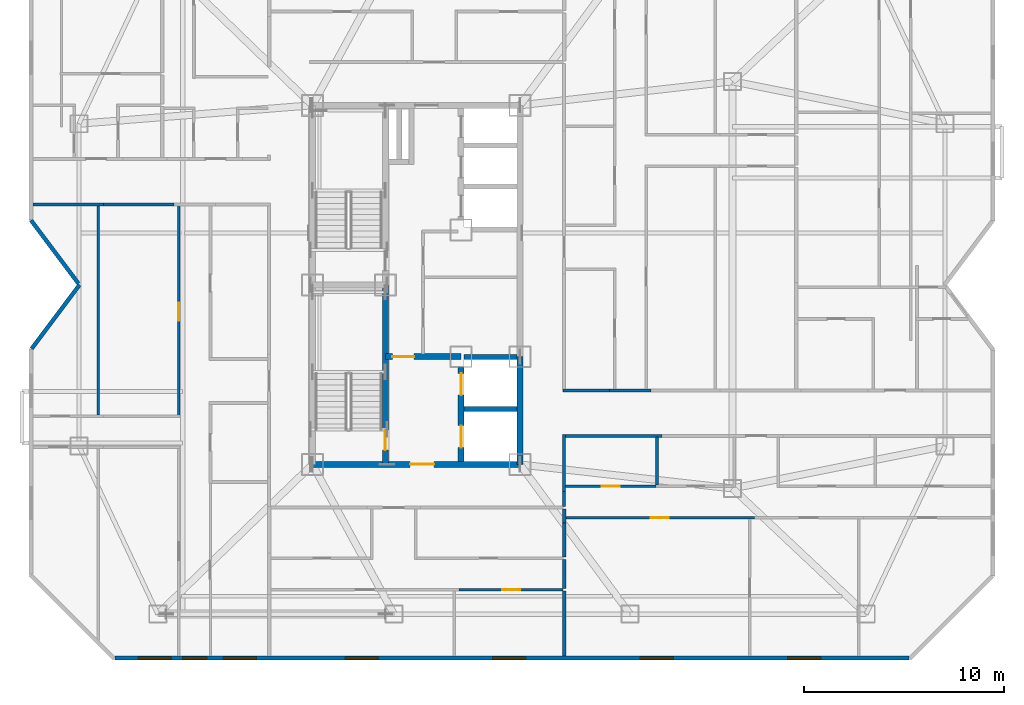
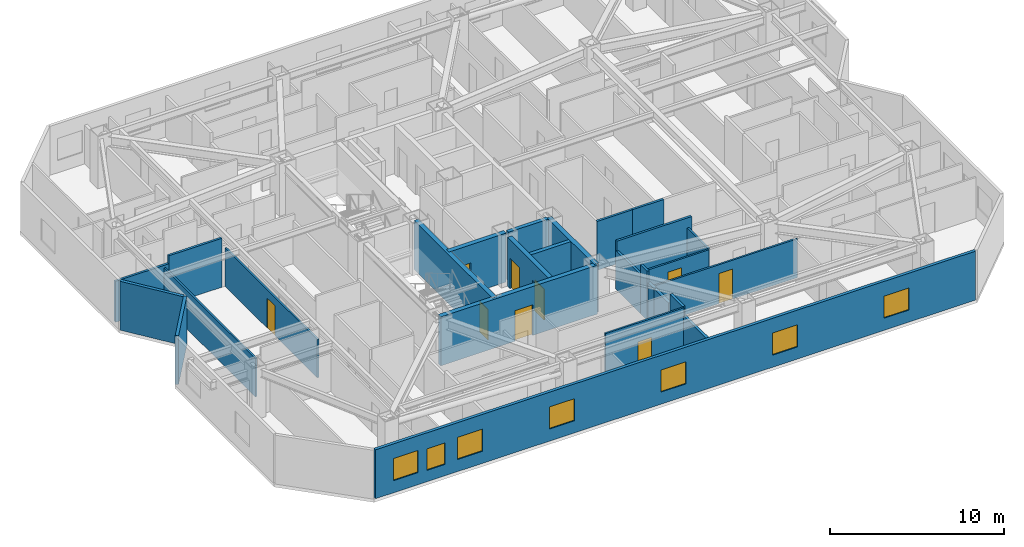
# One storey, part 6 of 12: 27 walls, 9 doors, 7 windows, 16 openings.
"""IFC4 building model written with IfcOpenShell, lengths in metres."""

from ifc_helpers import new_model, si_unit, direction, frame, frame_2d, origin, place, context, subcontext, project, spatial, rectangle, extrude, material, layer, layer_set, type_object, element, fill, save


model = new_model("IFC4")

# Units and contexts
model_context = context("Model", 3, precision=1e-05, world=origin(), true_north=direction((0.0, 1.0)))
body_context = subcontext(model_context, "Body", "Model", "MODEL_VIEW")
ifc_project = project(units=[si_unit("LENGTHUNIT", "METRE"), si_unit("AREAUNIT", "SQUARE_METRE"), si_unit("VOLUMEUNIT", "CUBIC_METRE"), si_unit("PLANEANGLEUNIT", "RADIAN"), si_unit("MASSUNIT", "GRAM", prefix="KILO")], contexts=[model_context])

# Site, building, storey
site_placement = place(None, origin())
site = spatial("IfcSite", under=ifc_project, at=site_placement, CompositionType="ELEMENT")
building_placement = place(site_placement, origin())
building = spatial("IfcBuilding", under=site, at=building_placement, Name="Khamvora Tower", CompositionType="ELEMENT")
storey_placement = place(building_placement, frame((0.0, 0.0, 177.800048828125)))
storey = spatial("IfcBuildingStorey", under=building, at=storey_placement, Name="L45", CompositionType="ELEMENT", Elevation=177.800048828125)

# Wall, opening, door
ifc_material_1 = material(Name="Concrete C50/60", Category="concrete")
ifc_layer_1 = layer(ifc_material_1, 0.300048828125)
ifc_layer_set_1 = layer_set([ifc_layer_1], Name="Concrete C50/60")
wall_type_1 = type_object("IfcWallType", Name="WAL-CORE-300", PredefinedType="SHEAR", material=ifc_layer_set_1)
wall_1_placement = place(storey_placement, frame((29.0, 19.0, 0.0), z_axis=(0.0, 0.0, 1.0), x_axis=(1.0, 0.0, 0.0)))
wall_1 = element("IfcWall", 1, at=wall_1_placement, inside=storey, type_object=wall_type_1, Name="L45 central core south wall", PredefinedType="SHEAR", context=body_context, shape_type="SweptSolid", body=[
    extrude(rectangle(XDim=10.39990234375, YDim=0.300048828125, at=frame_2d((5.199951171875, 0.0))), origin(), (0.0, 0.0, 1.0), 3.429931640625),
])
opening_1_placement = place(wall_1_placement, frame((4.89990234375, 0.0, 0.0)))
opening_1 = element("IfcOpeningElement", 2, at=opening_1_placement, cuts=wall_1, Name="Opening D-CR1", PredefinedType="OPENING", context=body_context, shape_type="SweptSolid", body=[
    extrude(rectangle(XDim=1.199951171875, YDim=2.14990234375, at=frame_2d((0.60009765625, 1.074951171875))), frame((0.0, 0.159912109375, 0.0), z_axis=(0.0, -1.0, 0.0), x_axis=(1.0, 0.0, 0.0)), (0.0, 0.0, 1.0), 0.320068359375),
])
ifc_material_2 = material(Name="Powder-Coated Steel and Hardwood Leaf", Category="steel")
door_type_1 = type_object("IfcDoorType", Name="DOR-CORR-1200", OperationType="NOTDEFINED", PredefinedType="DOOR", material=ifc_material_2)
door_1_placement = place(opening_1_placement, origin())
door_1 = element("IfcDoor", 3, at=door_1_placement, inside=storey, type_object=door_type_1, Name="L45 south core lobby to corridor fire door", OperationType="SINGLE_SWING_RIGHT", OverallHeight=2.14990234375, OverallWidth=1.199951171875, PredefinedType="DOOR", context=body_context, shape_type="SweptSolid", body=[
    extrude(rectangle(XDim=1.199951171875, YDim=2.14990234375, at=frame_2d((0.60009765625, 1.074951171875))), frame((0.0, 0.02490234375, 0.0), z_axis=(0.0, -1.0, 0.0), x_axis=(1.0, 0.0, 0.0)), (0.0, 0.0, 1.0), 0.050048828125),
])
fill(opening_1, door_1)

# Wall
wall_2_placement = place(storey_placement, frame((39.39990234375, 19.0, 0.0), z_axis=(0.0, 0.0, 1.0), x_axis=(0.0, 1.0, 0.0)))
element("IfcWall", 4, at=wall_2_placement, inside=storey, type_object=wall_type_1, Name="L45 central core east south wall", PredefinedType="SHEAR", context=body_context, shape_type="SweptSolid", body=[
    extrude(rectangle(XDim=5.39990234375, YDim=0.300048828125, at=frame_2d((2.699951171875, 0.0))), origin(), (0.0, 0.0, 1.0), 3.429931640625),
])

# Wall, opening, door
wall_3_placement = place(storey_placement, frame((32.64990234375, 19.0, 0.0), z_axis=(0.0, 0.0, 1.0), x_axis=(0.0, 1.0, 0.0)))
wall_3 = element("IfcWall", 5, at=wall_3_placement, inside=storey, type_object=wall_type_1, Name="L45 central core stair south spine wall", PredefinedType="SHEAR", context=body_context, shape_type="SweptSolid", body=[
    extrude(rectangle(XDim=9.0, YDim=0.300048828125, at=frame_2d((4.5, 0.0))), origin(), (0.0, 0.0, 1.0), 3.429931640625),
])
opening_2_placement = place(wall_3_placement, frame((0.719970703125, 0.0, 0.0)))
opening_2 = element("IfcOpeningElement", 6, at=opening_2_placement, cuts=wall_3, Name="Opening D-ST1", PredefinedType="OPENING", context=body_context, shape_type="SweptSolid", body=[
    extrude(rectangle(XDim=1.0, YDim=2.14990234375, at=frame_2d((0.5, 1.074951171875))), frame((0.0, 0.159912109375, 0.0), z_axis=(0.0, -1.0, 0.0), x_axis=(1.0, 0.0, 0.0)), (0.0, 0.0, 1.0), 0.320068359375),
])
door_type_2 = type_object("IfcDoorType", Name="DOR-STAIR-1000", OperationType="NOTDEFINED", PredefinedType="DOOR", material=ifc_material_2)
door_2_placement = place(opening_2_placement, origin())
door_2 = element("IfcDoor", 7, at=door_2_placement, inside=storey, type_object=door_type_2, Name="L45 exit stair ST-01 fire door", OperationType="SINGLE_SWING_RIGHT", OverallHeight=2.14990234375, OverallWidth=1.0, PredefinedType="DOOR", context=body_context, shape_type="SweptSolid", body=[
    extrude(rectangle(XDim=1.0, YDim=2.14990234375, at=frame_2d((0.5, 1.074951171875))), frame((0.0, 0.02490234375, 0.0), z_axis=(0.0, -1.0, 0.0), x_axis=(1.0, 0.0, 0.0)), (0.0, 0.0, 1.0), 0.050048828125),
])
fill(opening_2, door_2)

wall_4_placement = place(storey_placement, frame((32.64990234375, 24.39990234375, 0.0), z_axis=(0.0, 0.0, 1.0), x_axis=(1.0, 0.0, 0.0)))
wall_4 = element("IfcWall", 8, at=wall_4_placement, inside=storey, type_object=wall_type_1, Name="L45 central core firefighting lobby north wall", PredefinedType="SHEAR", context=body_context, shape_type="SweptSolid", body=[
    extrude(rectangle(XDim=3.800048828125, YDim=0.300048828125, at=frame_2d((1.89990234375, 0.0))), origin(), (0.0, 0.0, 1.0), 3.429931640625),
])
opening_3_placement = place(wall_4_placement, frame((0.35009765625, 0.0, 0.0)))
opening_3 = element("IfcOpeningElement", 9, at=opening_3_placement, cuts=wall_4, Name="Opening D-FF1", PredefinedType="OPENING", context=body_context, shape_type="SweptSolid", body=[
    extrude(rectangle(XDim=1.10009765625, YDim=2.14990234375, at=frame_2d((0.550048828125, 1.074951171875))), frame((0.0, 0.159912109375, 0.0), z_axis=(0.0, -1.0, 0.0), x_axis=(1.0, 0.0, 0.0)), (0.0, 0.0, 1.0), 0.320068359375),
])
door_type_3 = type_object("IfcDoorType", Name="DOR-FFLOB-1100", OperationType="NOTDEFINED", PredefinedType="DOOR", material=ifc_material_2)
door_3_placement = place(opening_3_placement, origin())
door_3 = element("IfcDoor", 10, at=door_3_placement, inside=storey, type_object=door_type_3, Name="L45 firefighting lobby smoke-seal fire door", OperationType="SINGLE_SWING_LEFT", OverallHeight=2.14990234375, OverallWidth=1.10009765625, PredefinedType="DOOR", context=body_context, shape_type="SweptSolid", body=[
    extrude(rectangle(XDim=1.10009765625, YDim=2.14990234375, at=frame_2d((0.550048828125, 1.074951171875))), frame((0.0, 0.02490234375, 0.0), z_axis=(0.0, -1.0, 0.0), x_axis=(1.0, 0.0, 0.0)), (0.0, 0.0, 1.0), 0.050048828125),
])
fill(opening_3, door_3)

# Wall, openings, doors
wall_5_placement = place(storey_placement, frame((36.449951171875, 19.154052734375, 0.0), z_axis=(0.0, 0.0, 1.0), x_axis=(0.0, 1.0, 0.0)))
wall_5 = element("IfcWall", 11, at=wall_5_placement, inside=storey, type_object=wall_type_1, Name="L45 central core lift bank south wall", PredefinedType="SHEAR", context=body_context, shape_type="SweptSolid", body=[
    extrude(rectangle(XDim=4.696044921875, YDim=0.300048828125, at=frame_2d((2.34814453125, 0.0))), origin(), (0.0, 0.0, 1.0), 3.429931640625),
])
opening_4_placement = place(wall_5_placement, frame((0.696044921875, 0.0, 0.0)))
opening_4 = element("IfcOpeningElement", 12, at=opening_4_placement, cuts=wall_5, Name="Opening LD-FFL", PredefinedType="OPENING", context=body_context, shape_type="SweptSolid", body=[
    extrude(rectangle(XDim=1.10009765625, YDim=2.14990234375, at=frame_2d((0.550048828125, 1.074951171875))), frame((0.0, 0.159912109375, 0.0), z_axis=(0.0, -1.0, 0.0), x_axis=(1.0, 0.0, 0.0)), (0.0, 0.0, 1.0), 0.320068359375),
])
opening_5_placement = place(wall_5_placement, frame((3.31591796875, 0.0, 0.0)))
opening_5 = element("IfcOpeningElement", 13, at=opening_5_placement, cuts=wall_5, Name="Opening LD-FFL", PredefinedType="OPENING", context=body_context, shape_type="SweptSolid", body=[
    extrude(rectangle(XDim=1.10009765625, YDim=2.14990234375, at=frame_2d((0.550048828125, 1.074951171875))), frame((0.0, 0.159912109375, 0.0), z_axis=(0.0, -1.0, 0.0), x_axis=(1.0, 0.0, 0.0)), (0.0, 0.0, 1.0), 0.320068359375),
])
door_type_4 = type_object("IfcDoorType", Name="DOR-LIFT-1100", OperationType="SLIDING_TO_LEFT", PredefinedType="DOOR", material=ifc_material_2)
door_4_placement = place(opening_4_placement, origin())
door_4 = element("IfcDoor", 14, at=door_4_placement, inside=storey, type_object=door_type_4, Name="L45 lift landing sliding door FFL-01", OperationType="SLIDING_TO_LEFT", OverallHeight=2.14990234375, OverallWidth=1.10009765625, PredefinedType="DOOR", context=body_context, shape_type="SweptSolid", body=[
    extrude(rectangle(XDim=1.10009765625, YDim=2.14990234375, at=frame_2d((0.550048828125, 1.074951171875))), frame((0.0, 0.02490234375, 0.0), z_axis=(0.0, -1.0, 0.0), x_axis=(1.0, 0.0, 0.0)), (0.0, 0.0, 1.0), 0.050048828125),
])
fill(opening_4, door_4)
door_5_placement = place(opening_5_placement, origin())
door_5 = element("IfcDoor", 15, at=door_5_placement, inside=storey, type_object=door_type_4, Name="L45 lift landing sliding door FFL-02", OperationType="SLIDING_TO_LEFT", OverallHeight=2.14990234375, OverallWidth=1.10009765625, PredefinedType="DOOR", context=body_context, shape_type="SweptSolid", body=[
    extrude(rectangle(XDim=1.10009765625, YDim=2.14990234375, at=frame_2d((0.550048828125, 1.074951171875))), frame((0.0, 0.02490234375, 0.0), z_axis=(0.0, -1.0, 0.0), x_axis=(1.0, 0.0, 0.0)), (0.0, 0.0, 1.0), 0.050048828125),
])
fill(opening_5, door_5)

# Walls
ifc_material_3 = material(Name="Fire-Rated Drywall and Steel Stud", Category="steel")
ifc_layer_2 = layer(ifc_material_3, 0.14990234375)
ifc_layer_set_2 = layer_set([ifc_layer_2], Name="Fire-Rated Drywall and Steel Stud")
wall_type_2 = type_object("IfcWallType", Name="WAL-CORR-150", PredefinedType="STANDARD", material=ifc_layer_set_2)
wall_6_placement = place(storey_placement, frame((18.52294921875, 32.034912109375, 0.0), z_axis=(0.0, 0.0, 1.0), x_axis=(-1.0, 0.0, 0.0)))
element("IfcWall", 16, at=wall_6_placement, inside=storey, type_object=wall_type_2, Name="L45 interior partition wall 011", PredefinedType="STANDARD", context=body_context, shape_type="SweptSolid", body=[
    extrude(rectangle(XDim=3.531005859375, YDim=0.14990234375, at=frame_2d((1.765625, 0.0))), origin(), (0.0, 0.0, 1.0), 2.8759765625),
])
wall_7_placement = place(storey_placement, frame((22.06103515625, 32.034912109375, 0.0), z_axis=(0.0, 0.0, 1.0), x_axis=(-1.0, 0.0, 0.0)))
element("IfcWall", 17, at=wall_7_placement, inside=storey, type_object=wall_type_2, Name="L45 interior partition wall 012", PredefinedType="STANDARD", context=body_context, shape_type="SweptSolid", body=[
    extrude(rectangle(XDim=3.5380859375, YDim=0.14990234375, at=frame_2d((1.76904296875, 0.0))), origin(), (0.0, 0.0, 1.0), 3.429931640625),
])
wall_8_placement = place(storey_placement, frame((46.51904296875, 20.43505859375, 0.0), z_axis=(0.0, 0.0, 1.0), x_axis=(-1.0, 0.0, 0.0)))
element("IfcWall", 18, at=wall_8_placement, inside=storey, type_object=wall_type_2, Name="L45 interior partition wall 025", PredefinedType="STANDARD", context=body_context, shape_type="SweptSolid", body=[
    extrude(rectangle(XDim=4.968994140625, YDim=0.14990234375, at=frame_2d((2.484375, 0.0))), origin(), (0.0, 0.0, 1.0), 3.429931640625),
])
wall_9_placement = place(storey_placement, frame((41.614990234375, 20.5, 0.0), z_axis=(0.0, 0.0, 1.0), x_axis=(0.0, -1.0, 0.0)))
element("IfcWall", 19, at=wall_9_placement, inside=storey, type_object=wall_type_2, Name="L45 interior partition wall 026", PredefinedType="STANDARD", context=body_context, shape_type="SweptSolid", body=[
    extrude(rectangle(XDim=2.843994140625, YDim=0.14990234375, at=frame_2d((1.421875, 0.0))), origin(), (0.0, 0.0, 1.0), 2.724853515625),
])
wall_10_placement = place(storey_placement, frame((41.614990234375, 17.656005859375, 0.0), z_axis=(0.0, 0.0, 1.0), x_axis=(0.0, -1.0, 0.0)))
element("IfcWall", 20, at=wall_10_placement, inside=storey, type_object=wall_type_2, Name="L45 interior partition wall 029", PredefinedType="STANDARD", context=body_context, shape_type="SweptSolid", body=[
    extrude(rectangle(XDim=0.756103515625, YDim=0.14990234375, at=frame_2d((0.3779296875, 0.0))), origin(), (0.0, 0.0, 1.0), 3.429931640625),
])
wall_11_placement = place(storey_placement, frame((43.89599609375, 22.715087890625, 0.0), z_axis=(0.0, 0.0, 1.0), x_axis=(1.0, 0.0, 0.0)))
element("IfcWall", 21, at=wall_11_placement, inside=storey, type_object=wall_type_2, Name="L45 interior partition wall 034", PredefinedType="STANDARD", context=body_context, shape_type="SweptSolid", body=[
    extrude(rectangle(XDim=2.078125, YDim=0.14990234375, at=frame_2d((1.0390625, 0.0))), origin(), (0.0, 0.0, 1.0), 3.429931640625),
])
wall_12_placement = place(storey_placement, frame((41.550048828125, 22.715087890625, 0.0), z_axis=(0.0, 0.0, 1.0), x_axis=(1.0, 0.0, 0.0)))
element("IfcWall", 22, at=wall_12_placement, inside=storey, type_object=wall_type_2, Name="L45 interior partition wall 037", PredefinedType="STANDARD", context=body_context, shape_type="SweptSolid", body=[
    extrude(rectangle(XDim=2.345947265625, YDim=0.14990234375, at=frame_2d((1.1728515625, 0.0))), origin(), (0.0, 0.0, 1.0), 3.429931640625),
])
ifc_material_4 = material(Name="Acoustic Double-Stud Fire Wall", Category="gypsum")
ifc_layer_3 = layer(ifc_material_4, 0.179931640625)
ifc_layer_set_3 = layer_set([ifc_layer_3], Name="Acoustic Double-Stud Fire Wall")
wall_type_3 = type_object("IfcWallType", Name="WAL-CORR-180", PredefinedType="STANDARD", material=ifc_layer_set_3)
wall_13_placement = place(storey_placement, frame((41.614990234375, 14.239990234375, 0.0), z_axis=(0.0, 0.0, 1.0), x_axis=(0.0, -1.0, 0.0)))
element("IfcWall", 23, at=wall_13_placement, inside=storey, type_object=wall_type_3, Name="L45 interior partition wall 085", PredefinedType="STANDARD", context=body_context, shape_type="SweptSolid", body=[
    extrude(rectangle(XDim=1.449951171875, YDim=0.179931640625, at=frame_2d((0.72509765625, 0.0))), origin(), (0.0, 0.0, 1.0), 3.429931640625),
])
wall_14_placement = place(storey_placement, frame((41.614990234375, 16.77001953125, 0.0), z_axis=(0.0, 0.0, 1.0), x_axis=(0.0, -1.0, 0.0)))
element("IfcWall", 24, at=wall_14_placement, inside=storey, type_object=wall_type_3, Name="L45 interior partition wall 086", PredefinedType="STANDARD", context=body_context, shape_type="SweptSolid", body=[
    extrude(rectangle(XDim=0.694091796875, YDim=0.179931640625, at=frame_2d((0.34716796875, 0.0))), origin(), (0.0, 0.0, 1.0), 2.724853515625),
])
wall_15_placement = place(storey_placement, frame((41.614990234375, 16.075927734375, 0.0), z_axis=(0.0, 0.0, 1.0), x_axis=(0.0, -1.0, 0.0)))
element("IfcWall", 25, at=wall_15_placement, inside=storey, type_object=wall_type_3, Name="L45 interior partition wall 087", PredefinedType="STANDARD", context=body_context, shape_type="SweptSolid", body=[
    extrude(rectangle(XDim=1.705810546875, YDim=0.179931640625, at=frame_2d((0.85302734375, 0.0))), origin(), (0.0, 0.0, 1.0), 2.724853515625),
])
wall_16_placement = place(storey_placement, frame((41.614990234375, 12.659912109375, 0.0), z_axis=(0.0, 0.0, 1.0), x_axis=(0.0, -1.0, 0.0)))
element("IfcWall", 26, at=wall_16_placement, inside=storey, type_object=wall_type_3, Name="L45 interior partition wall 089", PredefinedType="STANDARD", context=body_context, shape_type="SweptSolid", body=[
    extrude(rectangle(XDim=3.267822265625, YDim=0.179931640625, at=frame_2d((1.6337890625, 0.0))), origin(), (0.0, 0.0, 1.0), 2.8759765625),
])
ifc_material_5 = material(Name="Precast concrete C40/50", Category="concrete")
ifc_layer_4 = layer(ifc_material_5, 0.199951171875)
ifc_layer_set_4 = layer_set([ifc_layer_4], Name="Precast concrete C40/50")
wall_type_4 = type_object("IfcWallType", Name="WAL-EXT-200", PredefinedType="STANDARD", material=ifc_layer_set_4)
wall_17_placement = place(storey_placement, frame((14.929931640625, 24.806884765625, 0.0), z_axis=(0.0, 0.0, 1.0), x_axis=(0.600029358831, 0.799977980035, 0.0)))
element("IfcWall", 27, at=wall_17_placement, inside=storey, type_object=wall_type_4, Name="L45 exterior facade wall 03.1", PredefinedType="STANDARD", context=body_context, shape_type="SweptSolid", body=[
    extrude(rectangle(XDim=3.991455078125, YDim=0.199951171875, at=frame_2d((1.99560546875, 0.0))), origin(), (0.0, 0.0, 1.0), 3.429931640625),
])
wall_18_placement = place(storey_placement, frame((17.27294921875, 28.069091796875, 0.0), z_axis=(0.0, 0.0, 1.0), x_axis=(-0.600029630681, 0.799977776132, 0.0)))
element("IfcWall", 28, at=wall_18_placement, inside=storey, type_object=wall_type_4, Name="L45 exterior facade wall 04.1", PredefinedType="STANDARD", context=body_context, shape_type="SweptSolid", body=[
    extrude(rectangle(XDim=3.954833984375, YDim=0.199951171875, at=frame_2d((1.9775390625, 0.0))), origin(), (0.0, 0.0, 1.0), 3.429931640625),
])

# Wall, openings, windows
wall_19_placement = place(storey_placement, frame((58.89599609375, 9.300048828125, 0.0), z_axis=(0.0, 0.0, 1.0), x_axis=(-1.0, 0.0, 0.0)))
wall_19 = element("IfcWall", 29, at=wall_19_placement, inside=storey, type_object=wall_type_4, Name="L45 exterior facade wall 14.1", PredefinedType="STANDARD", context=body_context, shape_type="SweptSolid", body=[
    extrude(rectangle(XDim=39.79296875, YDim=0.199951171875, at=frame_2d((19.896484375, 0.0))), origin(), (0.0, 0.0, 1.0), 3.429931640625),
])
opening_6_placement = place(wall_19_placement, frame((32.7080078125, 0.0, 0.85009765625)))
opening_6 = element("IfcOpeningElement", 30, at=opening_6_placement, cuts=wall_19, Name="Opening WN-06", PredefinedType="OPENING", context=body_context, shape_type="SweptSolid", body=[
    extrude(rectangle(XDim=1.64990234375, YDim=1.550048828125, at=frame_2d((0.824951171875, 0.77490234375))), frame((0.0, 0.10986328125, 0.0), z_axis=(0.0, -1.0, 0.0), x_axis=(1.0, 0.0, 0.0)), (0.0, 0.0, 1.0), 0.219970703125),
])
opening_7_placement = place(wall_19_placement, frame((35.196044921875, 0.0, 0.800048828125)))
opening_7 = element("IfcOpeningElement", 31, at=opening_7_placement, cuts=wall_19, Name="Opening WN-03", PredefinedType="OPENING", context=body_context, shape_type="SweptSolid", body=[
    extrude(rectangle(XDim=1.199951171875, YDim=1.5, at=frame_2d((0.60009765625, 0.75))), frame((0.0, 0.10986328125, 0.0), z_axis=(0.0, -1.0, 0.0), x_axis=(1.0, 0.0, 0.0)), (0.0, 0.0, 1.0), 0.219970703125),
])
opening_8_placement = place(wall_19_placement, frame((36.971923828125, 0.0, 0.85009765625)))
opening_8 = element("IfcOpeningElement", 32, at=opening_8_placement, cuts=wall_19, Name="Opening WN-06", PredefinedType="OPENING", context=body_context, shape_type="SweptSolid", body=[
    extrude(rectangle(XDim=1.64990234375, YDim=1.550048828125, at=frame_2d((0.824951171875, 0.77490234375))), frame((0.0, 0.10986328125, 0.0), z_axis=(0.0, -1.0, 0.0), x_axis=(1.0, 0.0, 0.0)), (0.0, 0.0, 1.0), 0.219970703125),
])
opening_9_placement = place(wall_19_placement, frame((26.60205078125, 0.0, 0.85009765625)))
opening_9 = element("IfcOpeningElement", 33, at=opening_9_placement, cuts=wall_19, Name="Opening WN-06", PredefinedType="OPENING", context=body_context, shape_type="SweptSolid", body=[
    extrude(rectangle(XDim=1.64990234375, YDim=1.550048828125, at=frame_2d((0.824951171875, 0.77490234375))), frame((0.0, 0.10986328125, 0.0), z_axis=(0.0, -1.0, 0.0), x_axis=(1.0, 0.0, 0.0)), (0.0, 0.0, 1.0), 0.219970703125),
])
opening_10_placement = place(wall_19_placement, frame((19.2119140625, 0.0, 0.85009765625)))
opening_10 = element("IfcOpeningElement", 34, at=opening_10_placement, cuts=wall_19, Name="Opening WN-06", PredefinedType="OPENING", context=body_context, shape_type="SweptSolid", body=[
    extrude(rectangle(XDim=1.64990234375, YDim=1.550048828125, at=frame_2d((0.824951171875, 0.77490234375))), frame((0.0, 0.10986328125, 0.0), z_axis=(0.0, -1.0, 0.0), x_axis=(1.0, 0.0, 0.0)), (0.0, 0.0, 1.0), 0.219970703125),
])
opening_11_placement = place(wall_19_placement, frame((11.80810546875, 0.0, 0.85009765625)))
opening_11 = element("IfcOpeningElement", 35, at=opening_11_placement, cuts=wall_19, Name="Opening WN-06", PredefinedType="OPENING", context=body_context, shape_type="SweptSolid", body=[
    extrude(rectangle(XDim=1.64990234375, YDim=1.550048828125, at=frame_2d((0.824951171875, 0.77490234375))), frame((0.0, 0.10986328125, 0.0), z_axis=(0.0, -1.0, 0.0), x_axis=(1.0, 0.0, 0.0)), (0.0, 0.0, 1.0), 0.219970703125),
])
opening_12_placement = place(wall_19_placement, frame((4.429931640625, 0.0, 0.85009765625)))
opening_12 = element("IfcOpeningElement", 36, at=opening_12_placement, cuts=wall_19, Name="Opening WN-06", PredefinedType="OPENING", context=body_context, shape_type="SweptSolid", body=[
    extrude(rectangle(XDim=1.64990234375, YDim=1.550048828125, at=frame_2d((0.824951171875, 0.77490234375))), frame((0.0, 0.10986328125, 0.0), z_axis=(0.0, -1.0, 0.0), x_axis=(1.0, 0.0, 0.0)), (0.0, 0.0, 1.0), 0.219970703125),
])
ifc_material_6 = material(Name="Low-E Laminated Double Glazing", Category="glass")
window_type_1 = type_object("IfcWindowType", Name="WIN-VIS-1200x1500", PartitioningType="SINGLE_PANEL", PredefinedType="WINDOW", material=ifc_material_6)
window_1_placement = place(opening_7_placement, origin())
window_1 = element("IfcWindow", 37, at=window_1_placement, inside=storey, type_object=window_type_1, Name="L45 vision window 14.1.02", OverallHeight=1.5, OverallWidth=1.199951171875, PartitioningType="SINGLE_PANEL", PredefinedType="WINDOW", context=body_context, shape_type="SweptSolid", body=[
    extrude(rectangle(XDim=1.199951171875, YDim=1.5, at=frame_2d((0.60009765625, 0.75))), frame((0.0, 0.030029296875, 0.0), z_axis=(0.0, -1.0, 0.0), x_axis=(1.0, 0.0, 0.0)), (0.0, 0.0, 1.0), 0.06005859375),
])
fill(opening_7, window_1)
window_type_2 = type_object("IfcWindowType", Name="WIN-VIS-1650x1550", PartitioningType="SINGLE_PANEL", PredefinedType="WINDOW", material=ifc_material_6)
window_2_placement = place(opening_6_placement, origin())
window_2 = element("IfcWindow", 38, at=window_2_placement, inside=storey, type_object=window_type_2, Name="L45 vision window 14.1.01", OverallHeight=1.550048828125, OverallWidth=1.64990234375, PartitioningType="SINGLE_PANEL", PredefinedType="WINDOW", context=body_context, shape_type="SweptSolid", body=[
    extrude(rectangle(XDim=1.64990234375, YDim=1.550048828125, at=frame_2d((0.824951171875, 0.77490234375))), frame((0.0, 0.030029296875, 0.0), z_axis=(0.0, -1.0, 0.0), x_axis=(1.0, 0.0, 0.0)), (0.0, 0.0, 1.0), 0.06005859375),
])
fill(opening_6, window_2)
window_3_placement = place(opening_8_placement, origin())
window_3 = element("IfcWindow", 39, at=window_3_placement, inside=storey, type_object=window_type_2, Name="L45 vision window 14.1.03", OverallHeight=1.550048828125, OverallWidth=1.64990234375, PartitioningType="SINGLE_PANEL", PredefinedType="WINDOW", context=body_context, shape_type="SweptSolid", body=[
    extrude(rectangle(XDim=1.64990234375, YDim=1.550048828125, at=frame_2d((0.824951171875, 0.77490234375))), frame((0.0, 0.030029296875, 0.0), z_axis=(0.0, -1.0, 0.0), x_axis=(1.0, 0.0, 0.0)), (0.0, 0.0, 1.0), 0.06005859375),
])
fill(opening_8, window_3)
window_4_placement = place(opening_9_placement, origin())
window_4 = element("IfcWindow", 40, at=window_4_placement, inside=storey, type_object=window_type_2, Name="L45 vision window 14.1.04", OverallHeight=1.550048828125, OverallWidth=1.64990234375, PartitioningType="SINGLE_PANEL", PredefinedType="WINDOW", context=body_context, shape_type="SweptSolid", body=[
    extrude(rectangle(XDim=1.64990234375, YDim=1.550048828125, at=frame_2d((0.824951171875, 0.77490234375))), frame((0.0, 0.030029296875, 0.0), z_axis=(0.0, -1.0, 0.0), x_axis=(1.0, 0.0, 0.0)), (0.0, 0.0, 1.0), 0.06005859375),
])
fill(opening_9, window_4)
window_5_placement = place(opening_10_placement, origin())
window_5 = element("IfcWindow", 41, at=window_5_placement, inside=storey, type_object=window_type_2, Name="L45 vision window 14.1.05", OverallHeight=1.550048828125, OverallWidth=1.64990234375, PartitioningType="SINGLE_PANEL", PredefinedType="WINDOW", context=body_context, shape_type="SweptSolid", body=[
    extrude(rectangle(XDim=1.64990234375, YDim=1.550048828125, at=frame_2d((0.824951171875, 0.77490234375))), frame((0.0, 0.030029296875, 0.0), z_axis=(0.0, -1.0, 0.0), x_axis=(1.0, 0.0, 0.0)), (0.0, 0.0, 1.0), 0.06005859375),
])
fill(opening_10, window_5)
window_6_placement = place(opening_11_placement, origin())
window_6 = element("IfcWindow", 42, at=window_6_placement, inside=storey, type_object=window_type_2, Name="L45 vision window 14.1.06", OverallHeight=1.550048828125, OverallWidth=1.64990234375, PartitioningType="SINGLE_PANEL", PredefinedType="WINDOW", context=body_context, shape_type="SweptSolid", body=[
    extrude(rectangle(XDim=1.64990234375, YDim=1.550048828125, at=frame_2d((0.824951171875, 0.77490234375))), frame((0.0, 0.030029296875, 0.0), z_axis=(0.0, -1.0, 0.0), x_axis=(1.0, 0.0, 0.0)), (0.0, 0.0, 1.0), 0.06005859375),
])
fill(opening_11, window_6)
window_7_placement = place(opening_12_placement, origin())
window_7 = element("IfcWindow", 43, at=window_7_placement, inside=storey, type_object=window_type_2, Name="L45 vision window 14.1.07", OverallHeight=1.550048828125, OverallWidth=1.64990234375, PartitioningType="SINGLE_PANEL", PredefinedType="WINDOW", context=body_context, shape_type="SweptSolid", body=[
    extrude(rectangle(XDim=1.64990234375, YDim=1.550048828125, at=frame_2d((0.824951171875, 0.77490234375))), frame((0.0, 0.030029296875, 0.0), z_axis=(0.0, -1.0, 0.0), x_axis=(1.0, 0.0, 0.0)), (0.0, 0.0, 1.0), 0.06005859375),
])
fill(opening_12, window_7)

# Wall, opening, door
ifc_material_7 = material(Name="Gypsum Plasterboard Partition", Category="gypsum")
ifc_layer_5 = layer(ifc_material_7, 0.1201171875)
ifc_layer_set_5 = layer_set([ifc_layer_5], Name="Gypsum Plasterboard Partition")
wall_type_5 = type_object("IfcWallType", Name="WAL-PART-120", PredefinedType="PARTITIONING", material=ifc_layer_set_5)
wall_20_placement = place(storey_placement, frame((22.31005859375, 21.360107421875, 0.0), z_axis=(0.0, 0.0, 1.0), x_axis=(0.0, 1.0, 0.0)))
wall_20 = element("IfcWall", 44, at=wall_20_placement, inside=storey, type_object=wall_type_5, Name="L45 interior partition wall 057", PredefinedType="PARTITIONING", context=body_context, shape_type="SweptSolid", body=[
    extrude(rectangle(XDim=10.60791015625, YDim=0.1201171875, at=frame_2d((5.303955078125, 0.0))), origin(), (0.0, 0.0, 1.0), 2.68701171875),
])
opening_13_placement = place(wall_20_placement, frame((4.85400390625, 0.0, 0.0)))
opening_13 = element("IfcOpeningElement", 45, at=opening_13_placement, cuts=wall_20, Name="Opening D-RM1", PredefinedType="OPENING", context=body_context, shape_type="SweptSolid", body=[
    extrude(rectangle(XDim=0.89990234375, YDim=2.10009765625, at=frame_2d((0.449951171875, 1.050048828125))), frame((0.0, 0.070068359375, 0.0), z_axis=(0.0, -1.0, 0.0), x_axis=(1.0, 0.0, 0.0)), (0.0, 0.0, 1.0), 0.14013671875),
])
door_type_5 = type_object("IfcDoorType", Name="DOR-ROOM-900", OperationType="NOTDEFINED", PredefinedType="DOOR", material=ifc_material_2)
door_6_placement = place(opening_13_placement, origin())
door_6 = element("IfcDoor", 46, at=door_6_placement, inside=storey, type_object=door_type_5, Name="L45 interior door 45WAH-45WAR4", OperationType="SINGLE_SWING_LEFT", OverallHeight=2.10009765625, OverallWidth=0.89990234375, PredefinedType="DOOR", context=body_context, shape_type="SweptSolid", body=[
    extrude(rectangle(XDim=0.89990234375, YDim=2.10009765625, at=frame_2d((0.449951171875, 1.050048828125))), frame((0.0, 0.02490234375, 0.0), z_axis=(0.0, -1.0, 0.0), x_axis=(1.0, 0.0, 0.0)), (0.0, 0.0, 1.0), 0.050048828125),
])
fill(opening_13, door_6)

# Wall
wall_21_placement = place(storey_placement, frame((18.27392578125, 31.968017578125, 0.0), z_axis=(0.0, 0.0, 1.0), x_axis=(0.0, -1.0, 0.0)))
element("IfcWall", 47, at=wall_21_placement, inside=storey, type_object=wall_type_5, Name="L45 interior partition wall 059", PredefinedType="PARTITIONING", context=body_context, shape_type="SweptSolid", body=[
    extrude(rectangle(XDim=10.489013671875, YDim=0.1201171875, at=frame_2d((5.24462890625, 0.0))), origin(), (0.0, 0.0, 1.0), 2.68701171875),
])

# Wall, opening, door
wall_22_placement = place(storey_placement, frame((41.550048828125, 12.72509765625, 0.0), z_axis=(0.0, 0.0, 1.0), x_axis=(-1.0, 0.0, 0.0)))
wall_22 = element("IfcWall", 48, at=wall_22_placement, inside=storey, type_object=wall_type_5, Name="L45 interior partition wall 084", PredefinedType="PARTITIONING", context=body_context, shape_type="SweptSolid", body=[
    extrude(rectangle(XDim=5.197021484375, YDim=0.1201171875, at=frame_2d((2.5986328125, 0.0))), origin(), (0.0, 0.0, 1.0), 3.429931640625),
])
opening_14_placement = place(wall_22_placement, frame((2.14794921875, 0.0, 0.0)))
opening_14 = element("IfcOpeningElement", 49, at=opening_14_placement, cuts=wall_22, Name="Opening D-RM1", PredefinedType="OPENING", context=body_context, shape_type="SweptSolid", body=[
    extrude(rectangle(XDim=0.89990234375, YDim=2.10009765625, at=frame_2d((0.449951171875, 1.050048828125))), frame((0.0, 0.070068359375, 0.0), z_axis=(0.0, -1.0, 0.0), x_axis=(1.0, 0.0, 0.0)), (0.0, 0.0, 1.0), 0.14013671875),
])
door_7_placement = place(opening_14_placement, origin())
door_7 = element("IfcDoor", 50, at=door_7_placement, inside=storey, type_object=door_type_5, Name="L45 interior door 45SAH-45SAR2", OperationType="SINGLE_SWING_RIGHT", OverallHeight=2.10009765625, OverallWidth=0.89990234375, PredefinedType="DOOR", context=body_context, shape_type="SweptSolid", body=[
    extrude(rectangle(XDim=0.89990234375, YDim=2.10009765625, at=frame_2d((0.449951171875, 1.050048828125))), frame((0.0, 0.02490234375, 0.0), z_axis=(0.0, -1.0, 0.0), x_axis=(1.0, 0.0, 0.0)), (0.0, 0.0, 1.0), 0.050048828125),
])
fill(opening_14, door_7)

wall_23_placement = place(storey_placement, frame((46.205078125, 17.905029296875, 0.0), z_axis=(0.0, 0.0, 1.0), x_axis=(-1.0, 0.0, 0.0)))
wall_23 = element("IfcWall", 51, at=wall_23_placement, inside=storey, type_object=wall_type_5, Name="L45 interior partition wall 100", PredefinedType="PARTITIONING", context=body_context, shape_type="SweptSolid", body=[
    extrude(rectangle(XDim=4.523193359375, YDim=0.1201171875, at=frame_2d((2.26171875, 0.0))), origin(), (0.0, 0.0, 1.0), 2.724853515625),
])
opening_15_placement = place(wall_23_placement, frame((1.81103515625, 0.0, 0.0)))
opening_15 = element("IfcOpeningElement", 52, at=opening_15_placement, cuts=wall_23, Name="Opening D-RM1", PredefinedType="OPENING", context=body_context, shape_type="SweptSolid", body=[
    extrude(rectangle(XDim=0.89990234375, YDim=2.10009765625, at=frame_2d((0.449951171875, 1.050048828125))), frame((0.0, 0.070068359375, 0.0), z_axis=(0.0, -1.0, 0.0), x_axis=(1.0, 0.0, 0.0)), (0.0, 0.0, 1.0), 0.14013671875),
])
door_8_placement = place(opening_15_placement, origin())
door_8 = element("IfcDoor", 53, at=door_8_placement, inside=storey, type_object=door_type_5, Name="L45 interior door 45EAW1-45EAH", OperationType="SINGLE_SWING_LEFT", OverallHeight=2.10009765625, OverallWidth=0.89990234375, PredefinedType="DOOR", context=body_context, shape_type="SweptSolid", body=[
    extrude(rectangle(XDim=0.89990234375, YDim=2.10009765625, at=frame_2d((0.449951171875, 1.050048828125))), frame((0.0, 0.02490234375, 0.0), z_axis=(0.0, -1.0, 0.0), x_axis=(1.0, 0.0, 0.0)), (0.0, 0.0, 1.0), 0.050048828125),
])
fill(opening_15, door_8)

wall_24_placement = place(storey_placement, frame((51.158935546875, 16.324951171875, 0.0), z_axis=(0.0, 0.0, 1.0), x_axis=(-1.0, 0.0, 0.0)))
wall_24 = element("IfcWall", 54, at=wall_24_placement, inside=storey, type_object=wall_type_5, Name="L45 interior partition wall 108", PredefinedType="PARTITIONING", context=body_context, shape_type="SweptSolid", body=[
    extrude(rectangle(XDim=9.4619140625, YDim=0.1201171875, at=frame_2d((4.73095703125, 0.0))), origin(), (0.0, 0.0, 1.0), 2.724853515625),
])
opening_16_placement = place(wall_24_placement, frame((4.302001953125, 0.0, 0.0)))
opening_16 = element("IfcOpeningElement", 55, at=opening_16_placement, cuts=wall_24, Name="Opening D-RM1", PredefinedType="OPENING", context=body_context, shape_type="SweptSolid", body=[
    extrude(rectangle(XDim=0.89990234375, YDim=2.10009765625, at=frame_2d((0.449951171875, 1.050048828125))), frame((0.0, 0.070068359375, 0.0), z_axis=(0.0, -1.0, 0.0), x_axis=(1.0, 0.0, 0.0)), (0.0, 0.0, 1.0), 0.14013671875),
])
door_9_placement = place(opening_16_placement, origin())
door_9 = element("IfcDoor", 56, at=door_9_placement, inside=storey, type_object=door_type_5, Name="L45 interior door 45EAH-45EAR1", OperationType="SINGLE_SWING_LEFT", OverallHeight=2.10009765625, OverallWidth=0.89990234375, PredefinedType="DOOR", context=body_context, shape_type="SweptSolid", body=[
    extrude(rectangle(XDim=0.89990234375, YDim=2.10009765625, at=frame_2d((0.449951171875, 1.050048828125))), frame((0.0, 0.02490234375, 0.0), z_axis=(0.0, -1.0, 0.0), x_axis=(1.0, 0.0, 0.0)), (0.0, 0.0, 1.0), 0.050048828125),
])
fill(opening_16, door_9)

# Walls
ifc_material_8 = material(Name="Concrete C40/50", Category="concrete")
ifc_layer_6 = layer(ifc_material_8, 0.25)
ifc_layer_set_6 = layer_set([ifc_layer_6], Name="Concrete C40/50")
wall_type_6 = type_object("IfcWallType", Name="WAL-PODS-250", PredefinedType="SHEAR", material=ifc_layer_set_6)
for number, where, z_axis, x_axis, name in (
    (57, (36.60400390625, 21.77490234375, 0.0), (0.0, 0.0, 1.0), (1.0, 0.0, 0.0), "L45 lift shaft divider wall FFL-01"),
    (58, (36.60400390625, 24.375, 0.0), (0.0, 0.0, 1.0), (1.0, 0.0, 0.0), "L45 lift shaft divider wall FFL-02"),
):
    element("IfcWall", number, at=place(storey_placement, frame(where, z_axis=z_axis, x_axis=x_axis)), inside=storey, type_object=wall_type_6, Name=name, PredefinedType="SHEAR", context=body_context, shape_type="SweptSolid", body=[
        extrude(rectangle(XDim=2.64208984375, YDim=0.25, at=frame_2d((1.321044921875, 0.0))), origin(), (0.0, 0.0, 1.0), 3.429931640625),
    ])
ifc_material_9 = material(Name="Moisture-Resistant Plasterboard Partition", Category="gypsum")
ifc_layer_7 = layer(ifc_material_9, 0.135009765625)
ifc_layer_set_7 = layer_set([ifc_layer_7], Name="Moisture-Resistant Plasterboard Partition")
wall_type_7 = type_object("IfcWallType", Name="WAL-WET-135", PredefinedType="PARTITIONING", material=ifc_layer_set_7)
wall_25_placement = place(storey_placement, frame((46.27001953125, 20.367919921875, 0.0), z_axis=(0.0, 0.0, 1.0), x_axis=(0.0, -1.0, 0.0)))
element("IfcWall", 59, at=wall_25_placement, inside=storey, type_object=wall_type_7, Name="L45 interior partition wall 101", PredefinedType="PARTITIONING", context=body_context, shape_type="SweptSolid", body=[
    extrude(rectangle(XDim=2.39794921875, YDim=0.135009765625, at=frame_2d((1.198974609375, 0.0))), origin(), (0.0, 0.0, 1.0), 2.724853515625),
])

save(model, "model.ifc")
